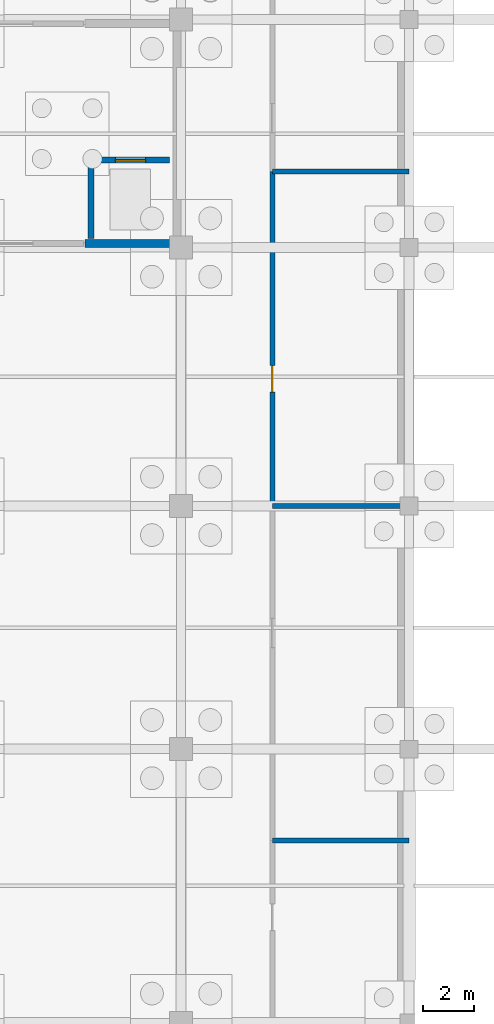
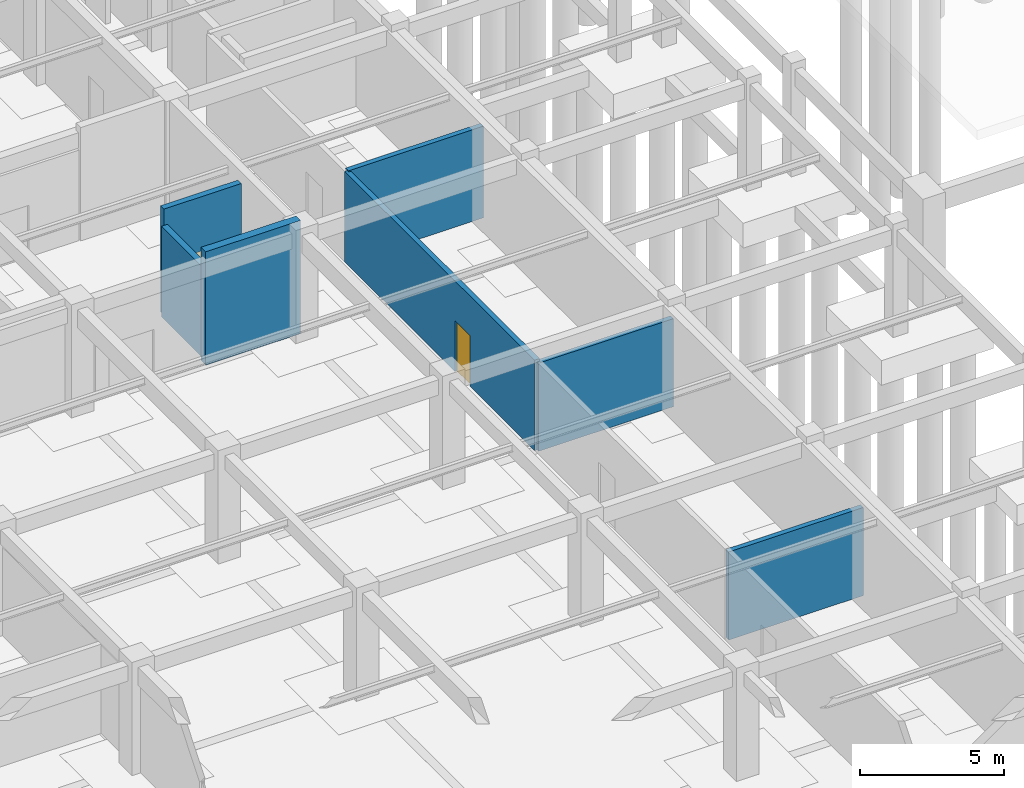
# One storey, part 24 of 33: 7 walls, 2 doors, 2 openings.
"""IFC4 building model written with IfcOpenShell, lengths in metres."""

from ifc_helpers import new_model, si_unit, direction, frame, frame_2d, origin, place, context, subcontext, project, spatial, rectangle, extrude, material, layer, layer_set, type_object, element, fill, save


model = new_model("IFC4")

# Units and contexts
model_context = context("Model", 3, precision=1e-05, world=origin(), true_north=direction((0.0, 1.0)))
body_context = subcontext(model_context, "Body", "Model", "MODEL_VIEW")
ifc_project = project(units=[si_unit("LENGTHUNIT", "METRE"), si_unit("AREAUNIT", "SQUARE_METRE"), si_unit("VOLUMEUNIT", "CUBIC_METRE"), si_unit("PLANEANGLEUNIT", "RADIAN"), si_unit("MASSUNIT", "GRAM", prefix="KILO")], contexts=[model_context])

# Site, building, storey
site_placement = place(None, origin())
site = spatial("IfcSite", under=ifc_project, at=site_placement, CompositionType="ELEMENT")
building_placement = place(site_placement, origin())
building = spatial("IfcBuilding", under=site, at=building_placement, Name="Suirenkawa Promenade Aquatics Centre", CompositionType="ELEMENT")
storey_placement = place(building_placement, frame((0.0, 0.0, -4.800048828125)))
storey = spatial("IfcBuildingStorey", under=building, at=storey_placement, Name="B1", CompositionType="ELEMENT", Elevation=-4.800048828125)

# Walls
ifc_material_1 = material(Name="Autoclaved aerated concrete blockwork Grade 1", Category="masonry")
ifc_layer_1 = layer(ifc_material_1, 0.199951171875, Name="Autoclaved aerated concrete blockwork Grade 1", Category="masonry")
ifc_layer_set_1 = layer_set([ifc_layer_1], Name="Autoclaved aerated concrete blockwork Grade 1")
wall_type_1 = type_object("IfcWallType", Name="WT-COMP-200", PredefinedType="PARTITIONING", material=ifc_layer_set_1)
for number, where, z_axis, x_axis, name in (
    (1, (30.60009765625, 36.0, 0.0), (0.0, 0.0, 1.0), (1.0, 0.0, 0.0), "Interior wall WL-PRT-01 W-7190"),
    (2, (30.60009765625, 49.199951171875, 0.0), (0.0, 0.0, 1.0), (1.0, 0.0, 0.0), "Interior wall WL-PRT-01 W-7192"),
):
    element("IfcWall", number, at=place(storey_placement, frame(where, z_axis=z_axis, x_axis=x_axis)), inside=storey, type_object=wall_type_1, Name=name, PredefinedType="PARTITIONING", context=body_context, shape_type="SweptSolid", body=[
        extrude(rectangle(XDim=5.39990234375, YDim=0.199951171875, at=frame_2d((2.699951171875, 0.0))), origin(), (0.0, 0.0, 1.0), 3.735107421875),
    ])

# Wall, opening, door
wall_1_placement = place(storey_placement, frame((30.60009765625, 49.199951171875, 0.0), z_axis=(0.0, 0.0, 1.0), x_axis=(0.0, 1.0, 0.0)))
wall_1 = element("IfcWall", 3, at=wall_1_placement, inside=storey, type_object=wall_type_1, Name="Interior wall WL-PRT-01 W-7193", PredefinedType="PARTITIONING", context=body_context, shape_type="SweptSolid", body=[
    extrude(rectangle(XDim=13.199951171875, YDim=0.199951171875, at=frame_2d((6.60009765625, 0.0))), origin(), (0.0, 0.0, 1.0), 3.8349609375),
])
opening_1_placement = place(wall_1_placement, frame((4.490966796875, 0.0, 0.0)))
opening_1 = element("IfcOpeningElement", 4, at=opening_1_placement, cuts=wall_1, Name="Opening ID-04", PredefinedType="OPENING", context=body_context, shape_type="SweptSolid", body=[
    extrude(rectangle(XDim=1.050048828125, YDim=2.14990234375, at=frame_2d((0.52490234375, 1.074951171875))), frame((0.0, 0.10986328125, 0.0), z_axis=(0.0, -1.0, 0.0), x_axis=(1.0, 0.0, 0.0)), (0.0, 0.0, 1.0), 0.219970703125),
])
ifc_material_2 = material(Name="Steel IS 2062 E350 (Grade 350)", Category="steel")
door_type_1 = type_object("IfcDoorType", Name="DT-FD120-1050x2150", OperationType="NOTDEFINED", PredefinedType="DOOR", material=ifc_material_2)
door_1_placement = place(opening_1_placement, origin())
door_1 = element("IfcDoor", 5, at=door_1_placement, inside=storey, type_object=door_type_1, Name="Interior door ID-04 DR-INT-0124", OperationType="SINGLE_SWING_LEFT", OverallHeight=2.14990234375, OverallWidth=1.050048828125, PredefinedType="DOOR", context=body_context, shape_type="SweptSolid", body=[
    extrude(rectangle(XDim=1.050048828125, YDim=2.14990234375, at=frame_2d((0.52490234375, 1.074951171875))), frame((0.0, 0.02490234375, 0.0), z_axis=(0.0, -1.0, 0.0), x_axis=(1.0, 0.0, 0.0)), (0.0, 0.0, 1.0), 0.050048828125),
])
fill(opening_1, door_1)

# Walls
wall_2_placement = place(storey_placement, frame((30.60009765625, 62.39990234375, 0.0), z_axis=(0.0, 0.0, 1.0), x_axis=(1.0, 0.0, 0.0)))
element("IfcWall", 6, at=wall_2_placement, inside=storey, type_object=wall_type_1, Name="Interior wall WL-PRT-01 W-7194", PredefinedType="PARTITIONING", context=body_context, shape_type="SweptSolid", body=[
    extrude(rectangle(XDim=5.39990234375, YDim=0.199951171875, at=frame_2d((2.699951171875, 0.0))), origin(), (0.0, 0.0, 1.0), 3.885009765625),
])
ifc_material_3 = material(Name="Concrete M40", Category="concrete")
ifc_layer_2 = layer(ifc_material_3, 0.320068359375, Name="Concrete M40", Category="concrete")
ifc_layer_set_2 = layer_set([ifc_layer_2], Name="Concrete M40")
wall_type_2 = type_object("IfcWallType", Name="WT-CORE-320", PredefinedType="SHEAR", material=ifc_layer_set_2)
wall_3_placement = place(storey_placement, frame((23.199951171875, 59.56005859375, 0.0), z_axis=(0.0, 0.0, 1.0), x_axis=(1.0, 0.0, 0.0)))
element("IfcWall", 7, at=wall_3_placement, inside=storey, type_object=wall_type_2, Name="C2 south shaft wall WL-CORE-01 W-0075", PredefinedType="SHEAR", context=body_context, shape_type="SweptSolid", body=[
    extrude(rectangle(XDim=3.800048828125, YDim=0.320068359375, at=frame_2d((1.89990234375, 0.0))), origin(), (0.0, 0.0, 1.0), 4.800048828125),
])

# Wall, opening, door
ifc_layer_3 = layer(ifc_material_3, 0.239990234375, Name="Concrete M40", Category="concrete")
ifc_layer_set_3 = layer_set([ifc_layer_3], Name="Concrete M40")
wall_type_3 = type_object("IfcWallType", Name="WT-SHAFT-240", PredefinedType="SOLIDWALL", material=ifc_layer_set_3)
wall_4_placement = place(storey_placement, frame((23.449951171875, 62.85009765625, 0.0), z_axis=(0.0, 0.0, 1.0), x_axis=(1.0, 0.0, 0.0)))
wall_4 = element("IfcWall", 8, at=wall_4_placement, inside=storey, type_object=wall_type_3, Name="Interior wall WL-SHF-01 W-7038", PredefinedType="SOLIDWALL", context=body_context, shape_type="SweptSolid", body=[
    extrude(rectangle(XDim=3.10009765625, YDim=0.239990234375, at=frame_2d((1.550048828125, 0.0))), origin(), (0.0, 0.0, 1.0), 4.505126953125),
])
opening_2_placement = place(wall_4_placement, frame((0.949951171875, 0.0, 0.0)))
opening_2 = element("IfcOpeningElement", 9, at=opening_2_placement, cuts=wall_4, Name="Opening LD-02", PredefinedType="OPENING", context=body_context, shape_type="SweptSolid", body=[
    extrude(rectangle(XDim=1.199951171875, YDim=2.199951171875, at=frame_2d((0.60009765625, 1.10009765625))), frame((0.0, 0.1298828125, 0.0), z_axis=(0.0, -1.0, 0.0), x_axis=(1.0, 0.0, 0.0)), (0.0, 0.0, 1.0), 0.260009765625),
])
ifc_material_4 = material(Name="Marine-grade stainless steel Grade 316L", Category="steel")
door_type_2 = type_object("IfcDoorType", Name="DT-LIFT-1200x2200", OperationType="DOUBLE_DOOR_SLIDING", PredefinedType="DOOR", material=ifc_material_4)
door_2_placement = place(opening_2_placement, origin())
door_2 = element("IfcDoor", 10, at=door_2_placement, inside=storey, type_object=door_type_2, Name="Landing door LD-02 DR-INT-0025", OperationType="DOUBLE_DOOR_SLIDING", OverallHeight=2.199951171875, OverallWidth=1.199951171875, PredefinedType="DOOR", context=body_context, shape_type="SweptSolid", body=[
    extrude(rectangle(XDim=1.199951171875, YDim=2.199951171875, at=frame_2d((0.60009765625, 1.10009765625))), frame((0.0, 0.02490234375, 0.0), z_axis=(0.0, -1.0, 0.0), x_axis=(1.0, 0.0, 0.0)), (0.0, 0.0, 1.0), 0.050048828125),
])
fill(opening_2, door_2)

# Wall
wall_5_placement = place(storey_placement, frame((23.449951171875, 59.75, 0.0), z_axis=(0.0, 0.0, 1.0), x_axis=(0.0, 1.0, 0.0)))
element("IfcWall", 11, at=wall_5_placement, inside=storey, type_object=wall_type_3, Name="Interior wall WL-SHF-01 W-7039", PredefinedType="SOLIDWALL", context=body_context, shape_type="SweptSolid", body=[
    extrude(rectangle(XDim=2.949951171875, YDim=0.239990234375, at=frame_2d((1.47509765625, 0.0))), origin(), (0.0, 0.0, 1.0), 3.8349609375),
])

save(model, "model.ifc")
